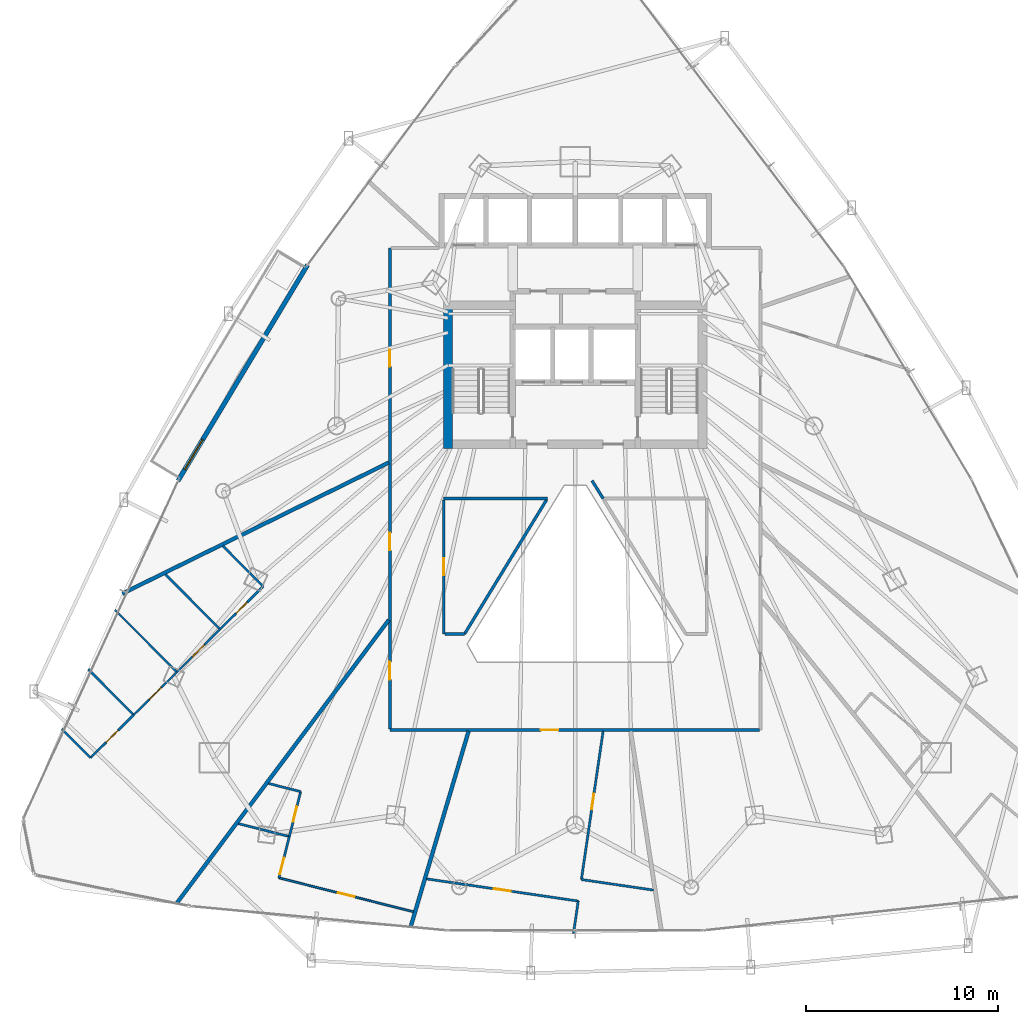
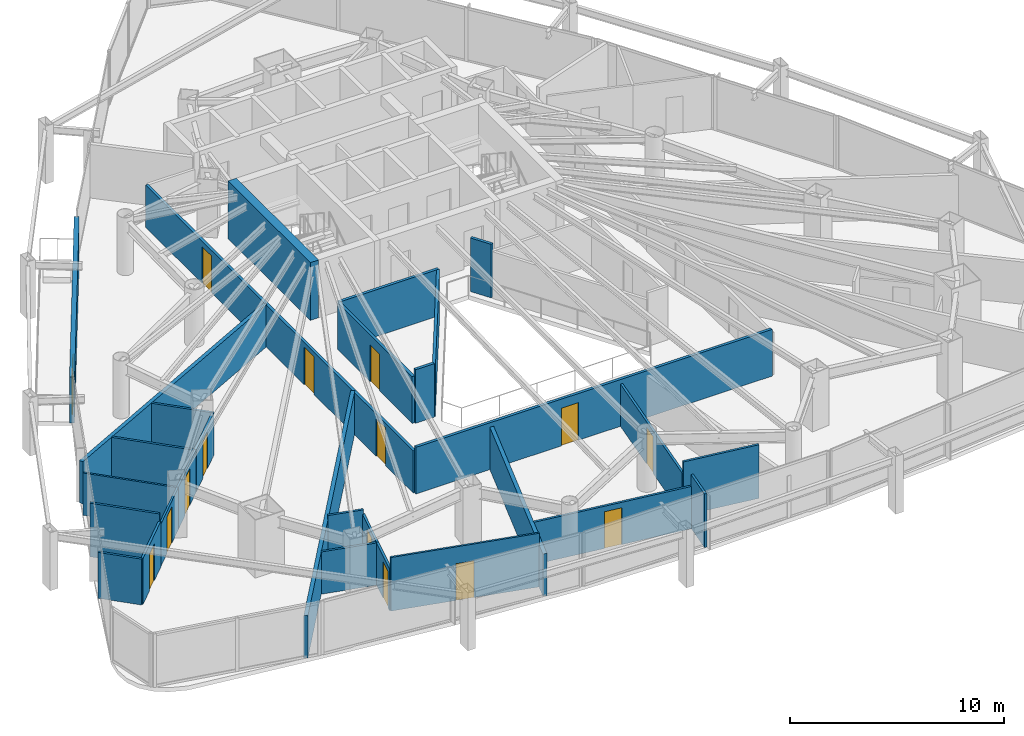
# One storey, part 29 of 35: 30 walls, 15 doors, 15 openings.
"""IFC4 building model written with IfcOpenShell, lengths in metres."""

from ifc_helpers import new_model, si_unit, direction, frame, frame_2d, origin, place, context, subcontext, project, spatial, rectangle, extrude, material, layer, layer_set, type_object, element, fill, save


model = new_model("IFC4")

# Units and contexts
model_context = context("Model", 3, precision=1e-05, world=origin(), true_north=direction((0.0, 1.0)))
body_context = subcontext(model_context, "Body", "Model", "MODEL_VIEW")
ifc_project = project(units=[si_unit("LENGTHUNIT", "METRE"), si_unit("AREAUNIT", "SQUARE_METRE"), si_unit("VOLUMEUNIT", "CUBIC_METRE"), si_unit("PLANEANGLEUNIT", "RADIAN"), si_unit("MASSUNIT", "GRAM", prefix="KILO")], contexts=[model_context])

# Site, building, storey
site_placement = place(None, origin())
site = spatial("IfcSite", under=ifc_project, at=site_placement, CompositionType="ELEMENT")
building_placement = place(site_placement, origin())
building = spatial("IfcBuilding", under=site, at=building_placement, Name="Orvanel Arch Residences", CompositionType="ELEMENT")
storey_placement = place(building_placement, frame((0.0, 0.0, 33.5)))
storey = spatial("IfcBuildingStorey", under=building, at=storey_placement, Name="L08", CompositionType="ELEMENT", Elevation=33.5)

# Wall, opening, door
ifc_material_1 = material(Name="Precast concrete N50 (50 MPa)", Category="concrete")
ifc_layer_1 = layer(ifc_material_1, 0.239990234375)
ifc_layer_set_1 = layer_set([ifc_layer_1], Name="Precast concrete N50 (50 MPa)")
wall_type_1 = type_object("IfcWallType", Name="EW-BAL-240", PredefinedType="SOLIDWALL", material=ifc_layer_set_1)
wall_1_placement = place(storey_placement, frame((19.05908203125, 36.028076171875, 0.0), z_axis=(0.0, 0.0, 1.0), x_axis=(-0.514331531946, -0.857591438417, 0.0)))
wall_1 = element("IfcWall", 1, at=wall_1_placement, inside=storey, type_object=wall_type_1, Name="L08 Balcony Threshold Wall Face 1", PredefinedType="SOLIDWALL", context=body_context, shape_type="SweptSolid", body=[
    extrude(rectangle(XDim=13.1181640625, YDim=0.239990234375, at=frame_2d((6.55908203125, 0.0))), origin(), (0.0, 0.0, 1.0), 2.6240234375),
])
opening_1_placement = place(wall_1_placement, frame((10.6201171875, 0.0, 0.0)))
opening_1 = element("IfcOpeningElement", 2, at=opening_1_placement, cuts=wall_1, Name="Opening DB-180", PredefinedType="OPENING", context=body_context, shape_type="SweptSolid", body=[
    extrude(rectangle(XDim=1.800048828125, YDim=2.199951171875, at=frame_2d((0.89990234375, 1.10009765625))), frame((0.0, 0.1298828125, 0.0), z_axis=(0.0, -1.0, 0.0), x_axis=(1.0, 0.0, 0.0)), (0.0, 0.0, 1.0), 0.260009765625),
])
ifc_material_2 = material(Name="Bronze-anodised aluminium AA6063-T6", Category="aluminium")
door_type_1 = type_object("IfcDoorType", Name="DR-BAL-1800", OperationType="NOTDEFINED", PredefinedType="DOOR", material=ifc_material_2)
door_1_placement = place(opening_1_placement, origin())
door_1 = element("IfcDoor", 3, at=door_1_placement, inside=storey, type_object=door_type_1, Name="DR-L08-BAL-F1 L08 Planted Balcony Access Door Face 1", OperationType="SINGLE_SWING_RIGHT", OverallHeight=2.199951171875, OverallWidth=1.800048828125, PredefinedType="DOOR", context=body_context, shape_type="SweptSolid", body=[
    extrude(rectangle(XDim=1.800048828125, YDim=2.199951171875, at=frame_2d((0.89990234375, 1.10009765625))), frame((0.0, 0.02490234375, 0.0), z_axis=(0.0, -1.0, 0.0), x_axis=(1.0, 0.0, 0.0)), (0.0, 0.0, 1.0), 0.050048828125),
])
fill(opening_1, door_1)

# Wall
ifc_material_3 = material(Name="Concrete S80 (80 MPa)", Category="concrete")
ifc_layer_2 = layer(ifc_material_3, 0.449951171875)
ifc_layer_set_2 = layer_set([ifc_layer_2], Name="Concrete S80 (80 MPa)")
wall_type_2 = type_object("IfcWallType", Name="SW-CORE-450", PredefinedType="SHEAR", material=ifc_layer_set_2)
wall_2_placement = place(storey_placement, frame((26.375, 26.449951171875, 0.0), z_axis=(0.0, 0.0, 1.0), x_axis=(0.0, 1.0, 0.0)))
element("IfcWall", 4, at=wall_2_placement, inside=storey, type_object=wall_type_2, Name="L08 West Stair Shear Wall", PredefinedType="SHEAR", context=body_context, shape_type="SweptSolid", body=[
    extrude(rectangle(XDim=7.699951171875, YDim=0.449951171875, at=frame_2d((3.85009765625, 0.0))), origin(), (0.0, 0.0, 1.0), 3.300048828125),
])

# Wall, opening, door
ifc_material_4 = material(Name="Fire-rated plasterboard lined steel stud partition", Category="steel")
ifc_layer_3 = layer(ifc_material_4, 0.14990234375)
ifc_layer_set_3 = layer_set([ifc_layer_3], Name="Fire-rated plasterboard lined steel stud partition")
wall_type_3 = type_object("IfcWallType", Name="W-COR-150", PredefinedType="PARTITIONING", material=ifc_layer_set_3)
wall_3_placement = place(storey_placement, frame((42.590087890625, 11.800048828125, 0.0), z_axis=(0.0, 0.0, 1.0), x_axis=(-1.0, 0.0, 0.0)))
wall_3 = element("IfcWall", 5, at=wall_3_placement, inside=storey, type_object=wall_type_3, Name="L08 Corridor Fire-Rated Partition", PredefinedType="PARTITIONING", context=body_context, shape_type="SweptSolid", body=[
    extrude(rectangle(XDim=19.239990234375, YDim=0.14990234375, at=frame_2d((9.6201171875, 0.0))), origin(), (0.0, 0.0, 1.0), 2.6689453125),
])
opening_2_placement = place(wall_3_placement, frame((10.4619140625, 0.0, 0.0)))
opening_2 = element("IfcOpeningElement", 6, at=opening_2_placement, cuts=wall_3, Name="Opening DA-092", PredefinedType="OPENING", context=body_context, shape_type="SweptSolid", body=[
    extrude(rectangle(XDim=0.919921875, YDim=2.14990234375, at=frame_2d((0.4599609375, 1.074951171875))), frame((0.0, 0.0849609375, 0.0), z_axis=(0.0, -1.0, 0.0), x_axis=(1.0, 0.0, 0.0)), (0.0, 0.0, 1.0), 0.169921875),
])
ifc_material_5 = material(Name="Solid-core European oak veneer fire door leaf", Category="wood")
door_type_2 = type_object("IfcDoorType", Name="DR-APT-920", OperationType="NOTDEFINED", PredefinedType="DOOR", material=ifc_material_5)
door_2_placement = place(opening_2_placement, origin())
door_2 = element("IfcDoor", 7, at=door_2_placement, inside=storey, type_object=door_type_2, Name="DR-L08-F-ENT L08 Studio F Entrance Door", OperationType="SINGLE_SWING_LEFT", OverallHeight=2.14990234375, OverallWidth=0.919921875, PredefinedType="DOOR", context=body_context, shape_type="SweptSolid", body=[
    extrude(rectangle(XDim=0.919921875, YDim=2.14990234375, at=frame_2d((0.4599609375, 1.074951171875))), frame((0.0, 0.02490234375, 0.0), z_axis=(0.0, -1.0, 0.0), x_axis=(1.0, 0.0, 0.0)), (0.0, 0.0, 1.0), 0.050048828125),
])
fill(opening_2, door_2)

# Wall, openings, doors
wall_4_placement = place(storey_placement, frame((23.35009765625, 11.860107421875, 0.0), z_axis=(0.0, 0.0, 1.0), x_axis=(0.0, 1.0, 0.0)))
wall_4 = element("IfcWall", 8, at=wall_4_placement, inside=storey, type_object=wall_type_3, Name="L08 Corridor Fire-Rated Partition", PredefinedType="PARTITIONING", context=body_context, shape_type="SweptSolid", body=[
    extrude(rectangle(XDim=25.039794921875, YDim=0.14990234375, at=frame_2d((12.52001953125, 0.0))), origin(), (0.0, 0.0, 1.0), 2.4130859375),
])
opening_3_placement = place(wall_4_placement, frame((9.2900390625, 0.0, 0.0)))
opening_3 = element("IfcOpeningElement", 9, at=opening_3_placement, cuts=wall_4, Name="Opening DA-092", PredefinedType="OPENING", context=body_context, shape_type="SweptSolid", body=[
    extrude(rectangle(XDim=0.919921875, YDim=2.14990234375, at=frame_2d((0.4599609375, 1.074951171875))), frame((0.0, 0.0849609375, 0.0), z_axis=(0.0, -1.0, 0.0), x_axis=(1.0, 0.0, 0.0)), (0.0, 0.0, 1.0), 0.169921875),
])
opening_4_placement = place(wall_4_placement, frame((18.864990234375, 0.0, 0.0)))
opening_4 = element("IfcOpeningElement", 10, at=opening_4_placement, cuts=wall_4, Name="Opening DI-088", PredefinedType="OPENING", context=body_context, shape_type="SweptSolid", body=[
    extrude(rectangle(XDim=0.8798828125, YDim=2.10009765625, at=frame_2d((0.43994140625, 1.050048828125))), frame((0.0, 0.0849609375, 0.0), z_axis=(0.0, -1.0, 0.0), x_axis=(1.0, 0.0, 0.0)), (0.0, 0.0, 1.0), 0.169921875),
])
opening_5_placement = place(wall_4_placement, frame((2.56591796875, 0.0, 0.0)))
opening_5 = element("IfcOpeningElement", 11, at=opening_5_placement, cuts=wall_4, Name="Opening DA-092", PredefinedType="OPENING", context=body_context, shape_type="SweptSolid", body=[
    extrude(rectangle(XDim=0.919921875, YDim=2.14990234375, at=frame_2d((0.4599609375, 1.074951171875))), frame((0.0, 0.0849609375, 0.0), z_axis=(0.0, -1.0, 0.0), x_axis=(1.0, 0.0, 0.0)), (0.0, 0.0, 1.0), 0.169921875),
])
door_3_placement = place(opening_3_placement, origin())
door_3 = element("IfcDoor", 12, at=door_3_placement, inside=storey, type_object=door_type_2, Name="DR-L08-A-ENT L08 Flat A Entrance Door", OperationType="SINGLE_SWING_RIGHT", OverallHeight=2.14990234375, OverallWidth=0.919921875, PredefinedType="DOOR", context=body_context, shape_type="SweptSolid", body=[
    extrude(rectangle(XDim=0.919921875, YDim=2.14990234375, at=frame_2d((0.4599609375, 1.074951171875))), frame((0.0, 0.02490234375, 0.0), z_axis=(0.0, -1.0, 0.0), x_axis=(1.0, 0.0, 0.0)), (0.0, 0.0, 1.0), 0.050048828125),
])
fill(opening_3, door_3)
door_4_placement = place(opening_5_placement, origin())
door_4 = element("IfcDoor", 13, at=door_4_placement, inside=storey, type_object=door_type_2, Name="DR-L08-E-ENT L08 Flat E Entrance Door", OperationType="SINGLE_SWING_RIGHT", OverallHeight=2.14990234375, OverallWidth=0.919921875, PredefinedType="DOOR", context=body_context, shape_type="SweptSolid", body=[
    extrude(rectangle(XDim=0.919921875, YDim=2.14990234375, at=frame_2d((0.4599609375, 1.074951171875))), frame((0.0, 0.02490234375, 0.0), z_axis=(0.0, -1.0, 0.0), x_axis=(1.0, 0.0, 0.0)), (0.0, 0.0, 1.0), 0.050048828125),
])
fill(opening_5, door_4)
door_type_3 = type_object("IfcDoorType", Name="DR-INT-880", OperationType="NOTDEFINED", PredefinedType="DOOR", material=ifc_material_5)
door_5_placement = place(opening_4_placement, origin())
door_5 = element("IfcDoor", 14, at=door_5_placement, inside=storey, type_object=door_type_3, Name="DR-L08-SHRD-FB4 L08 Co-Working Study Office D Door", OperationType="SINGLE_SWING_LEFT", OverallHeight=2.10009765625, OverallWidth=0.8798828125, PredefinedType="DOOR", context=body_context, shape_type="SweptSolid", body=[
    extrude(rectangle(XDim=0.8798828125, YDim=2.10009765625, at=frame_2d((0.43994140625, 1.050048828125))), frame((0.0, 0.02490234375, 0.0), z_axis=(0.0, -1.0, 0.0), x_axis=(1.0, 0.0, 0.0)), (0.0, 0.0, 1.0), 0.050048828125),
])
fill(opening_4, door_5)

# Wall
wall_5_placement = place(storey_placement, frame((31.544921875, 23.85009765625, 0.0), z_axis=(0.0, 0.0, 1.0), x_axis=(-1.0, 0.0, 0.0)))
element("IfcWall", 15, at=wall_5_placement, inside=storey, type_object=wall_type_3, Name="L08 Corridor Fire-Rated Partition", PredefinedType="PARTITIONING", context=body_context, shape_type="SweptSolid", body=[
    extrude(rectangle(XDim=5.39501953125, YDim=0.14990234375, at=frame_2d((2.697509765625, 0.0))), origin(), (0.0, 0.0, 1.0), 2.6689453125),
])

# Wall, opening, door
wall_6_placement = place(storey_placement, frame((26.14990234375, 23.7900390625, 0.0), z_axis=(0.0, 0.0, 1.0), x_axis=(0.0, -1.0, 0.0)))
wall_6 = element("IfcWall", 16, at=wall_6_placement, inside=storey, type_object=wall_type_3, Name="L08 Corridor Fire-Rated Partition", PredefinedType="PARTITIONING", context=body_context, shape_type="SweptSolid", body=[
    extrude(rectangle(XDim=6.989990234375, YDim=0.14990234375, at=frame_2d((3.4951171875, 0.0))), origin(), (0.0, 0.0, 1.0), 2.6689453125),
])
opening_6_placement = place(wall_6_placement, frame((3.054931640625, 0.0, 0.0)))
opening_6 = element("IfcOpeningElement", 17, at=opening_6_placement, cuts=wall_6, Name="Opening DI-088", PredefinedType="OPENING", context=body_context, shape_type="SweptSolid", body=[
    extrude(rectangle(XDim=0.8798828125, YDim=2.10009765625, at=frame_2d((0.43994140625, 1.050048828125))), frame((0.0, 0.0849609375, 0.0), z_axis=(0.0, -1.0, 0.0), x_axis=(1.0, 0.0, 0.0)), (0.0, 0.0, 1.0), 0.169921875),
])
door_6_placement = place(opening_6_placement, origin())
door_6 = element("IfcDoor", 18, at=door_6_placement, inside=storey, type_object=door_type_3, Name="DR-L08-SHRD-FB10 L08 Co-Working Study Office J Door", OperationType="SINGLE_SWING_LEFT", OverallHeight=2.10009765625, OverallWidth=0.8798828125, PredefinedType="DOOR", context=body_context, shape_type="SweptSolid", body=[
    extrude(rectangle(XDim=0.8798828125, YDim=2.10009765625, at=frame_2d((0.43994140625, 1.050048828125))), frame((0.0, 0.02490234375, 0.0), z_axis=(0.0, -1.0, 0.0), x_axis=(1.0, 0.0, 0.0)), (0.0, 0.0, 1.0), 0.050048828125),
])
fill(opening_6, door_6)

# Walls
wall_7_placement = place(storey_placement, frame((26.2099609375, 16.800048828125, 0.0), z_axis=(0.0, 0.0, 1.0), x_axis=(1.0, 0.0, 0.0)))
element("IfcWall", 19, at=wall_7_placement, inside=storey, type_object=wall_type_3, Name="L08 Corridor Fire-Rated Partition", PredefinedType="PARTITIONING", context=body_context, shape_type="SweptSolid", body=[
    extrude(rectangle(XDim=1.026123046875, YDim=0.14990234375, at=frame_2d((0.51318359375, 0.0))), origin(), (0.0, 0.0, 1.0), 3.06005859375),
])
wall_8_placement = place(storey_placement, frame((34.455078125, 23.85009765625, 0.0), z_axis=(0.0, 0.0, 1.0), x_axis=(-0.525973516201, 0.850500946652, 0.0)))
element("IfcWall", 20, at=wall_8_placement, inside=storey, type_object=wall_type_3, Name="L08 Corridor Fire-Rated Partition", PredefinedType="PARTITIONING", context=body_context, shape_type="SweptSolid", body=[
    extrude(rectangle(XDim=1.102783203125, YDim=0.14990234375, at=frame_2d((0.55126953125, 0.0))), origin(), (0.0, 0.0, 1.0), 3.06005859375),
])
wall_9_placement = place(storey_placement, frame((27.236083984375, 16.801025390625, 0.0), z_axis=(0.0, 0.0, 1.0), x_axis=(0.521617567684, 0.853179414358, 0.0)))
element("IfcWall", 21, at=wall_9_placement, inside=storey, type_object=wall_type_3, Name="L08 Atrium Overlook Glazed Partition", PredefinedType="PARTITIONING", context=body_context, shape_type="SweptSolid", body=[
    extrude(rectangle(XDim=8.191650390625, YDim=0.14990234375, at=frame_2d((4.095703125, 0.0))), origin(), (0.0, 0.0, 1.0), 2.6689453125),
])
ifc_layer_4 = layer(ifc_material_4, 0.199951171875)
ifc_layer_set_4 = layer_set([ifc_layer_4], Name="Fire-rated plasterboard lined steel stud partition")
wall_type_4 = type_object("IfcWallType", Name="W-DEM-200", PredefinedType="PARTITIONING", material=ifc_layer_set_4)
wall_10_placement = place(storey_placement, frame((9.409912109375, 18.90087890625, 0.0), z_axis=(0.0, 0.0, 1.0), x_axis=(0.89737804177, 0.44126256373, 0.0)))
element("IfcWall", 22, at=wall_10_placement, inside=storey, type_object=wall_type_4, Name="L08 Inter-Tenancy Acoustic Demising Wall", PredefinedType="PARTITIONING", context=body_context, shape_type="SweptSolid", body=[
    extrude(rectangle(XDim=15.467529296875, YDim=0.199951171875, at=frame_2d((7.73388671875, 0.0))), origin(), (0.0, 0.0, 1.0), 2.4130859375),
])
wall_11_placement = place(storey_placement, frame((23.2900390625, 17.531005859375, 0.0), z_axis=(0.0, 0.0, 1.0), x_axis=(-0.599334217596, -0.800498904196, 0.0)))
element("IfcWall", 23, at=wall_11_placement, inside=storey, type_object=wall_type_4, Name="L08 Inter-Tenancy Acoustic Demising Wall", PredefinedType="PARTITIONING", context=body_context, shape_type="SweptSolid", body=[
    extrude(rectangle(XDim=18.4873046875, YDim=0.199951171875, at=frame_2d((9.24365234375, 0.0))), origin(), (0.0, 0.0, 1.0), 2.4130859375),
])
wall_12_placement = place(storey_placement, frame((27.447021484375, 11.739990234375, 0.0), z_axis=(0.0, 0.0, 1.0), x_axis=(-0.283867721737, -0.958863450422, 0.0)))
element("IfcWall", 24, at=wall_12_placement, inside=storey, type_object=wall_type_4, Name="L08 Inter-Tenancy Acoustic Demising Wall", PredefinedType="PARTITIONING", context=body_context, shape_type="SweptSolid", body=[
    extrude(rectangle(XDim=10.663818359375, YDim=0.199951171875, at=frame_2d((5.33203125, 0.0))), origin(), (0.0, 0.0, 1.0), 2.4130859375),
])

# Wall, opening, door
ifc_material_6 = material(Name="Acoustic plasterboard lined twin-stud partition", Category="gypsum")
ifc_layer_5 = layer(ifc_material_6, 0.10009765625)
ifc_layer_set_5 = layer_set([ifc_layer_5], Name="Acoustic plasterboard lined twin-stud partition")
wall_type_5 = type_object("IfcWallType", Name="W-INT-100", PredefinedType="PARTITIONING", material=ifc_layer_set_5)
wall_13_placement = place(storey_placement, frame((10.0009765625, 12.5810546875, 0.0), z_axis=(0.0, 0.0, 1.0), x_axis=(0.70979961262, 0.70440365553, 0.0)))
wall_13 = element("IfcWall", 25, at=wall_13_placement, inside=storey, type_object=wall_type_5, Name="L08 Flat A Internal Partition", PredefinedType="PARTITIONING", context=body_context, shape_type="SweptSolid", body=[
    extrude(rectangle(XDim=3.167236328125, YDim=0.10009765625, at=frame_2d((1.58349609375, 0.0))), origin(), (0.0, 0.0, 1.0), 2.4130859375),
])
opening_7_placement = place(wall_13_placement, frame((1.14404296875, 0.0, 0.0)))
opening_7 = element("IfcOpeningElement", 26, at=opening_7_placement, cuts=wall_13, Name="Opening DI-088", PredefinedType="OPENING", context=body_context, shape_type="SweptSolid", body=[
    extrude(rectangle(XDim=0.8798828125, YDim=2.10009765625, at=frame_2d((0.43994140625, 1.050048828125))), frame((0.0, 0.06005859375, 0.0), z_axis=(0.0, -1.0, 0.0), x_axis=(1.0, 0.0, 0.0)), (0.0, 0.0, 1.0), 0.1201171875),
])
door_7_placement = place(opening_7_placement, origin())
door_7 = element("IfcDoor", 27, at=door_7_placement, inside=storey, type_object=door_type_3, Name="DR-L08-A-BED1 L08 Flat A Bedroom 1 Door", OperationType="SINGLE_SWING_LEFT", OverallHeight=2.10009765625, OverallWidth=0.8798828125, PredefinedType="DOOR", context=body_context, shape_type="SweptSolid", body=[
    extrude(rectangle(XDim=0.8798828125, YDim=2.10009765625, at=frame_2d((0.43994140625, 1.050048828125))), frame((0.0, 0.02490234375, 0.0), z_axis=(0.0, -1.0, 0.0), x_axis=(1.0, 0.0, 0.0)), (0.0, 0.0, 1.0), 0.050048828125),
])
fill(opening_7, door_7)

wall_14_placement = place(storey_placement, frame((12.2490234375, 14.81201171875, 0.0), z_axis=(0.0, 0.0, 1.0), x_axis=(0.70979961262, 0.70440365553, 0.0)))
wall_14 = element("IfcWall", 28, at=wall_14_placement, inside=storey, type_object=wall_type_5, Name="L08 Flat A Internal Partition", PredefinedType="PARTITIONING", context=body_context, shape_type="SweptSolid", body=[
    extrude(rectangle(XDim=3.167236328125, YDim=0.10009765625, at=frame_2d((1.58349609375, 0.0))), origin(), (0.0, 0.0, 1.0), 2.4130859375),
])
opening_8_placement = place(wall_14_placement, frame((1.14404296875, 0.0, 0.0)))
opening_8 = element("IfcOpeningElement", 29, at=opening_8_placement, cuts=wall_14, Name="Opening DI-088", PredefinedType="OPENING", context=body_context, shape_type="SweptSolid", body=[
    extrude(rectangle(XDim=0.8798828125, YDim=2.10009765625, at=frame_2d((0.43994140625, 1.050048828125))), frame((0.0, 0.06005859375, 0.0), z_axis=(0.0, -1.0, 0.0), x_axis=(1.0, 0.0, 0.0)), (0.0, 0.0, 1.0), 0.1201171875),
])
door_8_placement = place(opening_8_placement, origin())
door_8 = element("IfcDoor", 30, at=door_8_placement, inside=storey, type_object=door_type_3, Name="DR-L08-A-OFC2 L08 Flat A Home Work Office 1 Door", OperationType="SINGLE_SWING_LEFT", OverallHeight=2.10009765625, OverallWidth=0.8798828125, PredefinedType="DOOR", context=body_context, shape_type="SweptSolid", body=[
    extrude(rectangle(XDim=0.8798828125, YDim=2.10009765625, at=frame_2d((0.43994140625, 1.050048828125))), frame((0.0, 0.02490234375, 0.0), z_axis=(0.0, -1.0, 0.0), x_axis=(1.0, 0.0, 0.0)), (0.0, 0.0, 1.0), 0.050048828125),
])
fill(opening_8, door_8)

# Wall
wall_15_placement = place(storey_placement, frame((9.032958984375, 18.052978515625, 0.0), z_axis=(0.0, 0.0, 1.0), x_axis=(0.704374497722, -0.709828547579, 0.0)))
element("IfcWall", 31, at=wall_15_placement, inside=storey, type_object=wall_type_5, Name="L08 Flat A Internal Partition", PredefinedType="PARTITIONING", context=body_context, shape_type="SweptSolid", body=[
    extrude(rectangle(XDim=4.56591796875, YDim=0.10009765625, at=frame_2d((2.282958984375, 0.0))), origin(), (0.0, 0.0, 1.0), 2.4130859375),
])

# Wall, opening, door
wall_16_placement = place(storey_placement, frame((24.573974609375, 2.333984375, 0.0), z_axis=(0.0, 0.0, 1.0), x_axis=(-0.9698235368, 0.243807931512, 0.0)))
wall_16 = element("IfcWall", 32, at=wall_16_placement, inside=storey, type_object=wall_type_5, Name="L08 Flat E Internal Partition", PredefinedType="PARTITIONING", context=body_context, shape_type="SweptSolid", body=[
    extrude(rectangle(XDim=7.222900390625, YDim=0.10009765625, at=frame_2d((3.611328125, 0.0))), origin(), (0.0, 0.0, 1.0), 3.06005859375),
])
opening_9_placement = place(wall_16_placement, frame((3.1708984375, 0.0, 0.0)))
opening_9 = element("IfcOpeningElement", 33, at=opening_9_placement, cuts=wall_16, Name="Opening DI-088", PredefinedType="OPENING", context=body_context, shape_type="SweptSolid", body=[
    extrude(rectangle(XDim=0.8798828125, YDim=2.10009765625, at=frame_2d((0.43994140625, 1.050048828125))), frame((0.0, 0.06005859375, 0.0), z_axis=(0.0, -1.0, 0.0), x_axis=(1.0, 0.0, 0.0)), (0.0, 0.0, 1.0), 0.1201171875),
])
door_9_placement = place(opening_9_placement, origin())
door_9 = element("IfcDoor", 34, at=door_9_placement, inside=storey, type_object=door_type_3, Name="DR-L08-E-BED1 L08 Flat E Bedroom 1 Door", OperationType="SINGLE_SWING_LEFT", OverallHeight=2.10009765625, OverallWidth=0.8798828125, PredefinedType="DOOR", context=body_context, shape_type="SweptSolid", body=[
    extrude(rectangle(XDim=0.8798828125, YDim=2.10009765625, at=frame_2d((0.43994140625, 1.050048828125))), frame((0.0, 0.02490234375, 0.0), z_axis=(0.0, -1.0, 0.0), x_axis=(1.0, 0.0, 0.0)), (0.0, 0.0, 1.0), 0.050048828125),
])
fill(opening_9, door_9)

ifc_layer_6 = layer(ifc_material_6, 0.1201171875)
ifc_layer_set_6 = layer_set([ifc_layer_6], Name="Acoustic plasterboard lined twin-stud partition")
wall_type_6 = type_object("IfcWallType", Name="W-WET-120", PredefinedType="PARTITIONING", material=ifc_layer_set_6)
wall_17_placement = place(storey_placement, frame((14.4970703125, 17.04296875, 0.0), z_axis=(0.0, 0.0, 1.0), x_axis=(0.709608291954, 0.704596389425, 0.0)))
wall_17 = element("IfcWall", 35, at=wall_17_placement, inside=storey, type_object=wall_type_6, Name="L08 Flat A Bathroom Partition", PredefinedType="PARTITIONING", context=body_context, shape_type="SweptSolid", body=[
    extrude(rectangle(XDim=3.166259765625, YDim=0.1201171875, at=frame_2d((1.5830078125, 0.0))), origin(), (0.0, 0.0, 1.0), 2.4130859375),
])
opening_10_placement = place(wall_17_placement, frame((1.173095703125, 0.0, 0.0)))
opening_10 = element("IfcOpeningElement", 36, at=opening_10_placement, cuts=wall_17, Name="Opening DW-082", PredefinedType="OPENING", context=body_context, shape_type="SweptSolid", body=[
    extrude(rectangle(XDim=0.820068359375, YDim=2.10009765625, at=frame_2d((0.41015625, 1.050048828125))), frame((0.0, 0.070068359375, 0.0), z_axis=(0.0, -1.0, 0.0), x_axis=(1.0, 0.0, 0.0)), (0.0, 0.0, 1.0), 0.14013671875),
])
door_type_4 = type_object("IfcDoorType", Name="DR-WET-820", OperationType="NOTDEFINED", PredefinedType="DOOR", material=ifc_material_5)
door_10_placement = place(opening_10_placement, origin())
door_10 = element("IfcDoor", 37, at=door_10_placement, inside=storey, type_object=door_type_4, Name="DR-L08-A-BATH L08 Flat A Bathroom Door", OperationType="SINGLE_SWING_RIGHT", OverallHeight=2.10009765625, OverallWidth=0.820068359375, PredefinedType="DOOR", context=body_context, shape_type="SweptSolid", body=[
    extrude(rectangle(XDim=0.820068359375, YDim=2.10009765625, at=frame_2d((0.41015625, 1.050048828125))), frame((0.0, 0.02490234375, 0.0), z_axis=(0.0, -1.0, 0.0), x_axis=(1.0, 0.0, 0.0)), (0.0, 0.0, 1.0), 0.050048828125),
])
fill(opening_10, door_10)

# Walls
wall_18_placement = place(storey_placement, frame((16.743896484375, 19.27392578125, 0.0), z_axis=(0.0, 0.0, 1.0), x_axis=(-0.704390177625, 0.709812987811, 0.0)))
element("IfcWall", 38, at=wall_18_placement, inside=storey, type_object=wall_type_6, Name="L08 Flat A Bathroom Partition", PredefinedType="PARTITIONING", context=body_context, shape_type="SweptSolid", body=[
    extrude(rectangle(XDim=2.971435546875, YDim=0.1201171875, at=frame_2d((1.48583984375, 0.0))), origin(), (0.0, 0.0, 1.0), 2.4130859375),
])
wall_19_placement = place(storey_placement, frame((6.264892578125, 11.84912109375, 0.0), z_axis=(0.0, 0.0, 1.0), x_axis=(0.7047325022, -0.709473114602, 0.0)))
element("IfcWall", 39, at=wall_19_placement, inside=storey, type_object=wall_type_6, Name="L08 Flat A Internal Partition", PredefinedType="PARTITIONING", context=body_context, shape_type="SweptSolid", body=[
    extrude(rectangle(XDim=2.111572265625, YDim=0.1201171875, at=frame_2d((1.0556640625, 0.0))), origin(), (0.0, 0.0, 1.0), 2.618896484375),
])

# Wall, opening, door
wall_20_placement = place(storey_placement, frame((7.7529296875, 10.35107421875, 0.0), z_axis=(0.0, 0.0, 1.0), x_axis=(0.709953794815, 0.704248258236, 0.0)))
wall_20 = element("IfcWall", 40, at=wall_20_placement, inside=storey, type_object=wall_type_6, Name="L08 Flat A Internal Partition", PredefinedType="PARTITIONING", context=body_context, shape_type="SweptSolid", body=[
    extrude(rectangle(XDim=3.16650390625, YDim=0.1201171875, at=frame_2d((1.583251953125, 0.0))), origin(), (0.0, 0.0, 1.0), 2.618896484375),
])
opening_11_placement = place(wall_20_placement, frame((1.14306640625, 0.0, 0.0)))
opening_11 = element("IfcOpeningElement", 41, at=opening_11_placement, cuts=wall_20, Name="Opening DI-088", PredefinedType="OPENING", context=body_context, shape_type="SweptSolid", body=[
    extrude(rectangle(XDim=0.8798828125, YDim=2.10009765625, at=frame_2d((0.43994140625, 1.050048828125))), frame((0.0, 0.070068359375, 0.0), z_axis=(0.0, -1.0, 0.0), x_axis=(1.0, 0.0, 0.0)), (0.0, 0.0, 1.0), 0.14013671875),
])
door_11_placement = place(opening_11_placement, origin())
door_11 = element("IfcDoor", 42, at=door_11_placement, inside=storey, type_object=door_type_3, Name="DR-L08-A-KIT L08 Flat A Kitchen Door", OperationType="SINGLE_SWING_LEFT", OverallHeight=2.10009765625, OverallWidth=0.8798828125, PredefinedType="DOOR", context=body_context, shape_type="SweptSolid", body=[
    extrude(rectangle(XDim=0.8798828125, YDim=2.10009765625, at=frame_2d((0.43994140625, 1.050048828125))), frame((0.0, 0.02490234375, 0.0), z_axis=(0.0, -1.0, 0.0), x_axis=(1.0, 0.0, 0.0)), (0.0, 0.0, 1.0), 0.050048828125),
])
fill(opening_11, door_11)

# Walls
wall_21_placement = place(storey_placement, frame((14.4970703125, 17.04296875, 0.0), z_axis=(0.0, 0.0, 1.0), x_axis=(-0.704380529073, 0.70982256252, 0.0)))
element("IfcWall", 43, at=wall_21_placement, inside=storey, type_object=wall_type_6, Name="L08 Flat A Bathroom Partition", PredefinedType="PARTITIONING", context=body_context, shape_type="SweptSolid", body=[
    extrude(rectangle(XDim=4.03759765625, YDim=0.1201171875, at=frame_2d((2.018798828125, 0.0))), origin(), (0.0, 0.0, 1.0), 2.4130859375),
])
wall_22_placement = place(storey_placement, frame((7.637939453125, 14.9619140625, 0.0), z_axis=(0.0, 0.0, 1.0), x_axis=(0.704445292194, -0.709758290058, 0.0)))
element("IfcWall", 44, at=wall_22_placement, inside=storey, type_object=wall_type_6, Name="L08 Flat A Internal Partition", PredefinedType="PARTITIONING", context=body_context, shape_type="SweptSolid", body=[
    extrude(rectangle(XDim=3.3544921875, YDim=0.1201171875, at=frame_2d((1.67724609375, 0.0))), origin(), (0.0, 0.0, 1.0), 3.06005859375),
])

# Wall, opening, door
wall_23_placement = place(storey_placement, frame((18.112060546875, 6.2529296875, 0.0), z_axis=(0.0, 0.0, 1.0), x_axis=(0.2437501366, 0.96983806427, 0.0)))
wall_23 = element("IfcWall", 45, at=wall_23_placement, inside=storey, type_object=wall_type_6, Name="L08 Flat E Bathroom Partition", PredefinedType="PARTITIONING", context=body_context, shape_type="SweptSolid", body=[
    extrude(rectangle(XDim=2.411865234375, YDim=0.1201171875, at=frame_2d((1.2060546875, 0.0))), origin(), (0.0, 0.0, 1.0), 2.4130859375),
])
opening_12_placement = place(wall_23_placement, frame((0.7958984375, 0.0, 0.0)))
opening_12 = element("IfcOpeningElement", 46, at=opening_12_placement, cuts=wall_23, Name="Opening DW-082", PredefinedType="OPENING", context=body_context, shape_type="SweptSolid", body=[
    extrude(rectangle(XDim=0.820068359375, YDim=2.10009765625, at=frame_2d((0.41015625, 1.050048828125))), frame((0.0, 0.070068359375, 0.0), z_axis=(0.0, -1.0, 0.0), x_axis=(1.0, 0.0, 0.0)), (0.0, 0.0, 1.0), 0.14013671875),
])
door_12_placement = place(opening_12_placement, origin())
door_12 = element("IfcDoor", 47, at=door_12_placement, inside=storey, type_object=door_type_4, Name="DR-L08-E-BATH L08 Flat E Bathroom Door", OperationType="SINGLE_SWING_RIGHT", OverallHeight=2.10009765625, OverallWidth=0.820068359375, PredefinedType="DOOR", context=body_context, shape_type="SweptSolid", body=[
    extrude(rectangle(XDim=0.820068359375, YDim=2.10009765625, at=frame_2d((0.41015625, 1.050048828125))), frame((0.0, 0.02490234375, 0.0), z_axis=(0.0, -1.0, 0.0), x_axis=(1.0, 0.0, 0.0)), (0.0, 0.0, 1.0), 0.050048828125),
])
fill(opening_12, door_12)

# Wall
wall_24_placement = place(storey_placement, frame((18.699951171875, 8.592041015625, 0.0), z_axis=(0.0, 0.0, 1.0), x_axis=(-0.969751613308, 0.244093851802, 0.0)))
element("IfcWall", 48, at=wall_24_placement, inside=storey, type_object=wall_type_6, Name="L08 Flat E Bathroom Partition", PredefinedType="PARTITIONING", context=body_context, shape_type="SweptSolid", body=[
    extrude(rectangle(XDim=1.732421875, YDim=0.1201171875, at=frame_2d((0.8662109375, 0.0))), origin(), (0.0, 0.0, 1.0), 2.6689453125),
])

# Wall, opening, door
wall_25_placement = place(storey_placement, frame((17.569091796875, 4.094970703125, 0.0), z_axis=(0.0, 0.0, 1.0), x_axis=(0.244006821807, 0.969773515266, 0.0)))
wall_25 = element("IfcWall", 49, at=wall_25_placement, inside=storey, type_object=wall_type_6, Name="L08 Flat E Internal Partition", PredefinedType="PARTITIONING", context=body_context, shape_type="SweptSolid", body=[
    extrude(rectangle(XDim=2.22509765625, YDim=0.1201171875, at=frame_2d((1.112548828125, 0.0))), origin(), (0.0, 0.0, 1.0), 2.4130859375),
])
opening_13_placement = place(wall_25_placement, frame((0.199951171875, 0.0, 0.0)))
opening_13 = element("IfcOpeningElement", 50, at=opening_13_placement, cuts=wall_25, Name="Opening DI-088", PredefinedType="OPENING", context=body_context, shape_type="SweptSolid", body=[
    extrude(rectangle(XDim=0.8798828125, YDim=2.10009765625, at=frame_2d((0.43994140625, 1.050048828125))), frame((0.0, 0.070068359375, 0.0), z_axis=(0.0, -1.0, 0.0), x_axis=(1.0, 0.0, 0.0)), (0.0, 0.0, 1.0), 0.14013671875),
])
door_13_placement = place(opening_13_placement, origin())
door_13 = element("IfcDoor", 51, at=door_13_placement, inside=storey, type_object=door_type_3, Name="DR-L08-E-KIT L08 Flat E Kitchen Door", OperationType="SINGLE_SWING_LEFT", OverallHeight=2.10009765625, OverallWidth=0.8798828125, PredefinedType="DOOR", context=body_context, shape_type="SweptSolid", body=[
    extrude(rectangle(XDim=0.8798828125, YDim=2.10009765625, at=frame_2d((0.43994140625, 1.050048828125))), frame((0.0, 0.02490234375, 0.0), z_axis=(0.0, -1.0, 0.0), x_axis=(1.0, 0.0, 0.0)), (0.0, 0.0, 1.0), 0.050048828125),
])
fill(opening_13, door_13)

# Wall
wall_26_placement = place(storey_placement, frame((18.112060546875, 6.2529296875, 0.0), z_axis=(0.0, 0.0, 1.0), x_axis=(-0.969869517874, 0.243624954178, 0.0)))
element("IfcWall", 52, at=wall_26_placement, inside=storey, type_object=wall_type_6, Name="L08 Flat E Bathroom Partition", PredefinedType="PARTITIONING", context=body_context, shape_type="SweptSolid", body=[
    extrude(rectangle(XDim=2.74169921875, YDim=0.1201171875, at=frame_2d((1.370849609375, 0.0))), origin(), (0.0, 0.0, 1.0), 2.4130859375),
])

# Wall, opening, door
wall_27_placement = place(storey_placement, frame((34.452880859375, 11.739990234375, 0.0), z_axis=(0.0, 0.0, 1.0), x_axis=(-0.14489470787, -0.989447079753, 0.0)))
wall_27 = element("IfcWall", 53, at=wall_27_placement, inside=storey, type_object=wall_type_6, Name="L08 Studio F Bathroom Partition", PredefinedType="PARTITIONING", context=body_context, shape_type="SweptSolid", body=[
    extrude(rectangle(XDim=7.8115234375, YDim=0.1201171875, at=frame_2d((3.90576171875, 0.0))), origin(), (0.0, 0.0, 1.0), 2.4130859375),
])
opening_14_placement = place(wall_27_placement, frame((3.297119140625, 0.0, 0.0)))
opening_14 = element("IfcOpeningElement", 54, at=opening_14_placement, cuts=wall_27, Name="Opening DW-082", PredefinedType="OPENING", context=body_context, shape_type="SweptSolid", body=[
    extrude(rectangle(XDim=0.820068359375, YDim=2.10009765625, at=frame_2d((0.41015625, 1.050048828125))), frame((0.0, 0.070068359375, 0.0), z_axis=(0.0, -1.0, 0.0), x_axis=(1.0, 0.0, 0.0)), (0.0, 0.0, 1.0), 0.14013671875),
])
door_14_placement = place(opening_14_placement, origin())
door_14 = element("IfcDoor", 55, at=door_14_placement, inside=storey, type_object=door_type_4, Name="DR-L08-F-BATH L08 Studio F Bathroom Door", OperationType="SINGLE_SWING_RIGHT", OverallHeight=2.10009765625, OverallWidth=0.820068359375, PredefinedType="DOOR", context=body_context, shape_type="SweptSolid", body=[
    extrude(rectangle(XDim=0.820068359375, YDim=2.10009765625, at=frame_2d((0.41015625, 1.050048828125))), frame((0.0, 0.02490234375, 0.0), z_axis=(0.0, -1.0, 0.0), x_axis=(1.0, 0.0, 0.0)), (0.0, 0.0, 1.0), 0.050048828125),
])
fill(opening_14, door_14)

# Walls
wall_28_placement = place(storey_placement, frame((33.321044921875, 4.010986328125, 0.0), z_axis=(0.0, 0.0, 1.0), x_axis=(0.98942932615, -0.145015890698, 0.0)))
element("IfcWall", 56, at=wall_28_placement, inside=storey, type_object=wall_type_6, Name="L08 Studio F Bathroom Partition", PredefinedType="PARTITIONING", context=body_context, shape_type="SweptSolid", body=[
    extrude(rectangle(XDim=3.79296875, YDim=0.1201171875, at=frame_2d((1.896484375, 0.0))), origin(), (0.0, 0.0, 1.0), 3.06005859375),
])
wall_29_placement = place(storey_placement, frame((32.907958984375, 1.196044921875, 0.0), z_axis=(0.0, 0.0, 1.0), x_axis=(0.144976360118, 0.98943511915, 0.0)))
element("IfcWall", 57, at=wall_29_placement, inside=storey, type_object=wall_type_6, Name="L08 Studio F Internal Partition", PredefinedType="PARTITIONING", context=body_context, shape_type="SweptSolid", body=[
    extrude(rectangle(XDim=1.7109375, YDim=0.1201171875, at=frame_2d((0.85546875, 0.0))), origin(), (0.0, 0.0, 1.0), 3.06005859375),
])

# Wall, opening, door
wall_30_placement = place(storey_placement, frame((33.156005859375, 2.888916015625, 0.0), z_axis=(0.0, 0.0, 1.0), x_axis=(-0.98943978436, 0.144944517406, 0.0)))
wall_30 = element("IfcWall", 58, at=wall_30_placement, inside=storey, type_object=wall_type_6, Name="L08 Studio F Internal Partition", PredefinedType="PARTITIONING", context=body_context, shape_type="SweptSolid", body=[
    extrude(rectangle(XDim=7.982177734375, YDim=0.1201171875, at=frame_2d((3.9912109375, 0.0))), origin(), (0.0, 0.0, 1.0), 2.4130859375),
])
opening_15_placement = place(wall_30_placement, frame((3.551025390625, 0.0, 0.0)))
opening_15 = element("IfcOpeningElement", 59, at=opening_15_placement, cuts=wall_30, Name="Opening DI-088", PredefinedType="OPENING", context=body_context, shape_type="SweptSolid", body=[
    extrude(rectangle(XDim=0.8798828125, YDim=2.10009765625, at=frame_2d((0.43994140625, 1.050048828125))), frame((0.0, 0.070068359375, 0.0), z_axis=(0.0, -1.0, 0.0), x_axis=(1.0, 0.0, 0.0)), (0.0, 0.0, 1.0), 0.14013671875),
])
door_15_placement = place(opening_15_placement, origin())
door_15 = element("IfcDoor", 60, at=door_15_placement, inside=storey, type_object=door_type_3, Name="DR-L08-F-KIT L08 Studio F Kitchenette Door", OperationType="SINGLE_SWING_LEFT", OverallHeight=2.10009765625, OverallWidth=0.8798828125, PredefinedType="DOOR", context=body_context, shape_type="SweptSolid", body=[
    extrude(rectangle(XDim=0.8798828125, YDim=2.10009765625, at=frame_2d((0.43994140625, 1.050048828125))), frame((0.0, 0.02490234375, 0.0), z_axis=(0.0, -1.0, 0.0), x_axis=(1.0, 0.0, 0.0)), (0.0, 0.0, 1.0), 0.050048828125),
])
fill(opening_15, door_15)

save(model, "model.ifc")
